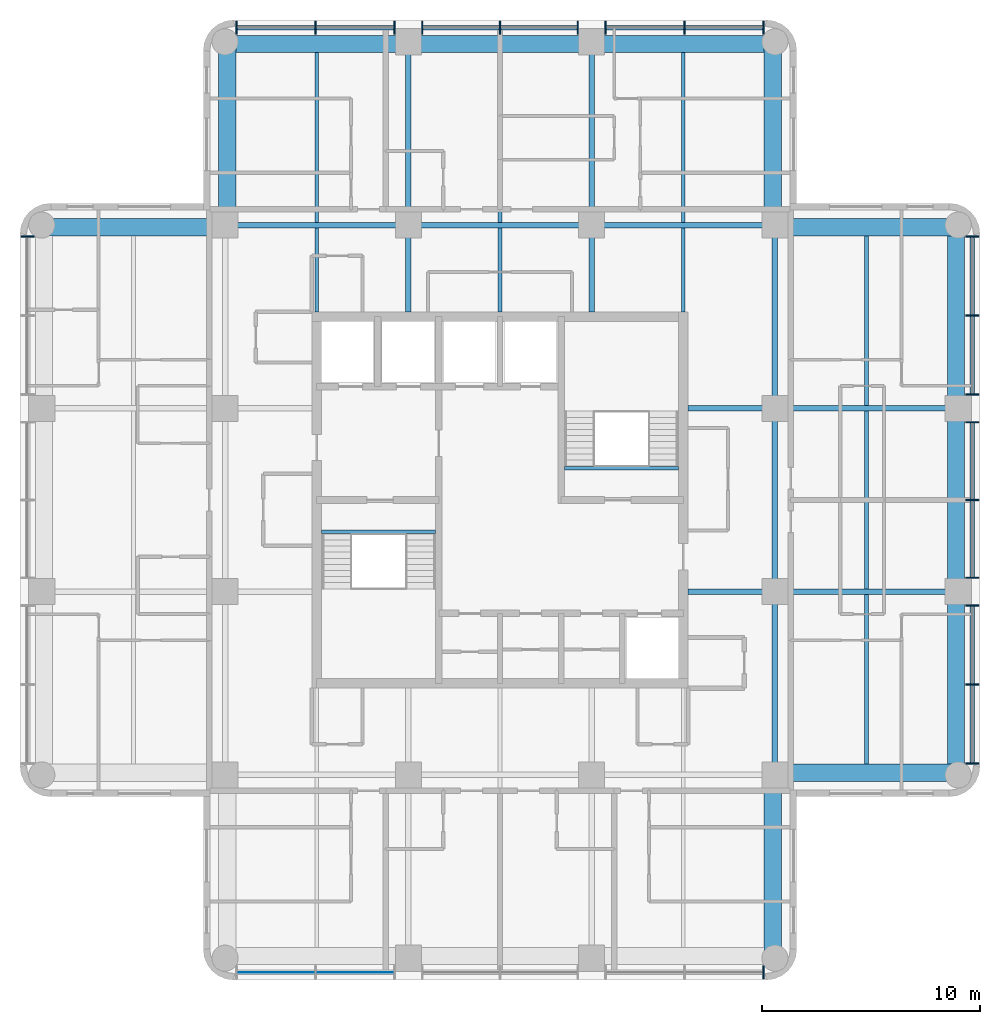
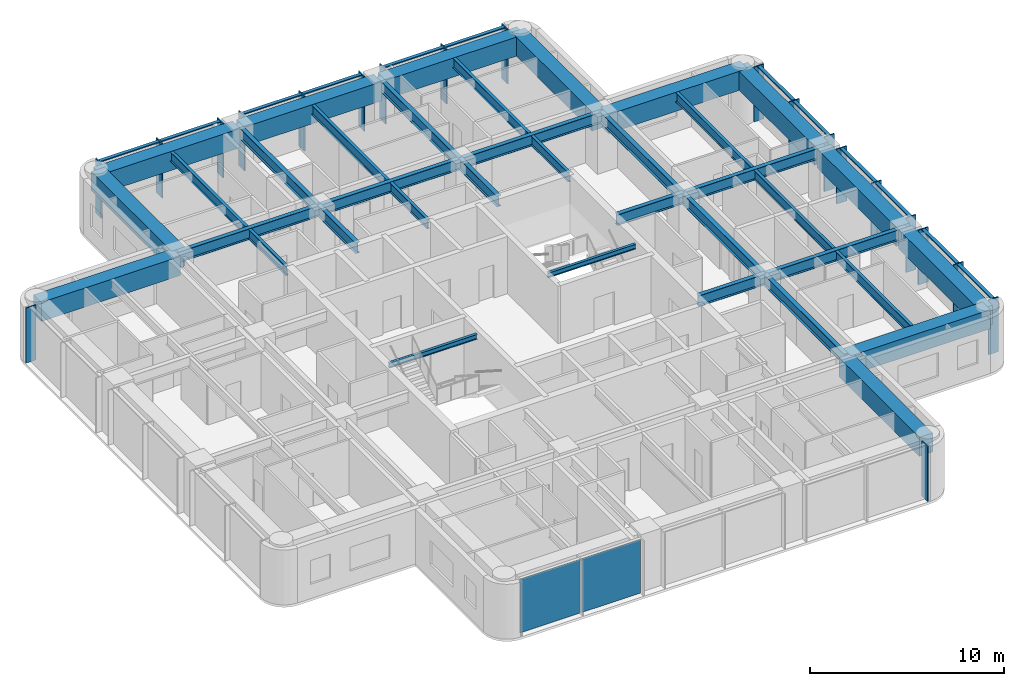
# One storey, part 2 of 10: 37 beams, 32 members, 2 plates, 4 elements without a shape of their own.
"""IFC4 building model written with IfcOpenShell, lengths in metres."""

from ifc_helpers import new_model, si_unit, direction, frame, origin, origin_2d, place, context, subcontext, project, spatial, rectangle, i_section, extrude, material, layer, layer_set, material_profile, profile_set, type_object, element, aggregate, save


model = new_model("IFC4")

# Units and contexts
model_context = context("Model", 3, precision=1e-05, world=origin(), true_north=direction((0.0, 1.0)))
body_context = subcontext(model_context, "Body", "Model", "MODEL_VIEW")
ifc_project = project(units=[si_unit("LENGTHUNIT", "METRE"), si_unit("AREAUNIT", "SQUARE_METRE"), si_unit("VOLUMEUNIT", "CUBIC_METRE"), si_unit("PLANEANGLEUNIT", "RADIAN"), si_unit("MASSUNIT", "GRAM", prefix="KILO")], contexts=[model_context])

# Site, building, storey
site_placement = place(None, origin())
site = spatial("IfcSite", under=ifc_project, at=site_placement, CompositionType="ELEMENT")
building_placement = place(site_placement, origin())
building = spatial("IfcBuilding", under=site, at=building_placement, Name="Torre Alcanfor", CompositionType="ELEMENT")
storey_placement = place(building_placement, frame((0.0, 0.0, 272.10009765625)))
storey = spatial("IfcBuildingStorey", under=building, at=storey_placement, Name="L71", CompositionType="ELEMENT", Elevation=272.10009765625)

# Curtain wall, member
ifc_material_1 = material(Name="Aluminium and glass", Category="aluminium")
curtain_wall_type = type_object("IfcCurtainWallType", Name="CW-A unitised apartment glazing with vertical FIN", PredefinedType="NOTDEFINED", material=ifc_material_1)
curtain_wall_1_placement = place(storey_placement, origin())
curtain_wall_1 = element("IfcCurtainWall", 1, at=curtain_wall_1_placement, inside=storey, type_object=curtain_wall_type, Name="Curtain wall CW-A L71 2", PredefinedType="NOTDEFINED")
ifc_material_2 = material(Name="Bronze anodised aluminium", Category="aluminium")
ifc_material_profile_1 = material_profile(ifc_material_2, rectangle(XDim=0.60009765625, YDim=0.06494140625, at=origin_2d()), Name="CW-A mullion 65x600")
ifc_profile_set_1 = profile_set([ifc_material_profile_1], Name="Bronze anodised aluminium")
member_type_1 = type_object("IfcMemberType", Name="CW-A mullion with vertical FIN 65x600", PredefinedType="MULLION", material=ifc_profile_set_1)
member_1_placement = place(storey_placement, frame((7.75, 41.47412109375, 0.0), z_axis=(0.0, 0.0, 1.0), x_axis=(1.0, 0.0, 0.0)))
member_1 = element("IfcMember", 2, at=member_1_placement, type_object=member_type_1, Name="CW-A mullion 1.1", PredefinedType="MULLION", context=body_context, shape_type="SweptSolid", body=[
    extrude(rectangle(XDim=0.60009765625, YDim=0.06494140625, at=origin_2d()), origin(), (0.0, 0.0, 1.0), 3.449951171875),
])
aggregate(curtain_wall_1, [member_1])

curtain_wall_2_placement = place(storey_placement, origin())
curtain_wall_2 = element("IfcCurtainWall", 3, at=curtain_wall_2_placement, inside=storey, type_object=curtain_wall_type, Name="Curtain wall CW-A L71 5", PredefinedType="NOTDEFINED")
member_2_placement = place(storey_placement, frame((41.47412109375, 7.75, 0.0), z_axis=(0.0, 0.0, 1.0), x_axis=(0.0, 1.0, 0.0)))
member_2 = element("IfcMember", 4, at=member_2_placement, type_object=member_type_1, Name="CW-A mullion 3.3", PredefinedType="MULLION", context=body_context, shape_type="SweptSolid", body=[
    extrude(rectangle(XDim=0.60009765625, YDim=0.06494140625, at=origin_2d()), origin(), (0.0, 0.0, 1.0), 3.449951171875),
])

# Curtain wall, members
curtain_wall_3_placement = place(storey_placement, origin())
curtain_wall_3 = element("IfcCurtainWall", 5, at=curtain_wall_3_placement, inside=storey, type_object=curtain_wall_type, Name="Curtain wall CW-A L71 8", PredefinedType="NOTDEFINED")
member_3_placement = place(storey_placement, frame((51.050048828125, 17.325927734375, 0.0), z_axis=(0.0, 0.0, 1.0), x_axis=(-1.0, 0.0, 0.0)))
member_3 = element("IfcMember", 6, at=member_3_placement, type_object=member_type_1, Name="CW-A mullion 1.1", PredefinedType="MULLION", context=body_context, shape_type="SweptSolid", body=[
    extrude(rectangle(XDim=0.60009765625, YDim=0.06494140625, at=origin_2d()), origin(), (0.0, 0.0, 1.0), 3.449951171875),
])
member_4_placement = place(storey_placement, frame((51.050048828125, 20.9443359375, 0.0), z_axis=(0.0, 0.0, 1.0), x_axis=(-1.0, 0.0, 0.0)))
member_4 = element("IfcMember", 7, at=member_4_placement, type_object=member_type_1, Name="CW-A mullion 1.2", PredefinedType="MULLION", context=body_context, shape_type="SweptSolid", body=[
    extrude(rectangle(XDim=0.60009765625, YDim=0.06494140625, at=origin_2d()), origin(), (0.0, 0.0, 1.0), 3.449951171875),
])
member_5_placement = place(storey_placement, frame((51.050048828125, 24.5625, 0.0), z_axis=(0.0, 0.0, 1.0), x_axis=(-1.0, 0.0, 0.0)))
member_5 = element("IfcMember", 8, at=member_5_placement, type_object=member_type_1, Name="CW-A mullion 1.3", PredefinedType="MULLION", context=body_context, shape_type="SweptSolid", body=[
    extrude(rectangle(XDim=0.60009765625, YDim=0.06494140625, at=origin_2d()), origin(), (0.0, 0.0, 1.0), 3.449951171875),
])
member_6_placement = place(storey_placement, frame((51.050048828125, 25.83740234375, 0.0), z_axis=(0.0, 0.0, 1.0), x_axis=(-1.0, 0.0, 0.0)))
member_6 = element("IfcMember", 9, at=member_6_placement, type_object=member_type_1, Name="CW-A mullion 2.1", PredefinedType="MULLION", context=body_context, shape_type="SweptSolid", body=[
    extrude(rectangle(XDim=0.60009765625, YDim=0.06494140625, at=origin_2d()), origin(), (0.0, 0.0, 1.0), 3.449951171875),
])
member_7_placement = place(storey_placement, frame((51.050048828125, 29.39990234375, 0.0), z_axis=(0.0, 0.0, 1.0), x_axis=(-1.0, 0.0, 0.0)))
member_7 = element("IfcMember", 10, at=member_7_placement, type_object=member_type_1, Name="CW-A mullion 2.2", PredefinedType="MULLION", context=body_context, shape_type="SweptSolid", body=[
    extrude(rectangle(XDim=0.60009765625, YDim=0.06494140625, at=origin_2d()), origin(), (0.0, 0.0, 1.0), 3.449951171875),
])
member_8_placement = place(storey_placement, frame((51.050048828125, 32.96240234375, 0.0), z_axis=(0.0, 0.0, 1.0), x_axis=(-1.0, 0.0, 0.0)))
member_8 = element("IfcMember", 11, at=member_8_placement, type_object=member_type_1, Name="CW-A mullion 2.3", PredefinedType="MULLION", context=body_context, shape_type="SweptSolid", body=[
    extrude(rectangle(XDim=0.60009765625, YDim=0.06494140625, at=origin_2d()), origin(), (0.0, 0.0, 1.0), 3.449951171875),
])
member_9_placement = place(storey_placement, frame((51.050048828125, 34.237548828125, 0.0), z_axis=(0.0, 0.0, 1.0), x_axis=(-1.0, 0.0, 0.0)))
member_9 = element("IfcMember", 12, at=member_9_placement, type_object=member_type_1, Name="CW-A mullion 3.1", PredefinedType="MULLION", context=body_context, shape_type="SweptSolid", body=[
    extrude(rectangle(XDim=0.60009765625, YDim=0.06494140625, at=origin_2d()), origin(), (0.0, 0.0, 1.0), 3.449951171875),
])
member_10_placement = place(storey_placement, frame((51.050048828125, 37.855712890625, 0.0), z_axis=(0.0, 0.0, 1.0), x_axis=(-1.0, 0.0, 0.0)))
member_10 = element("IfcMember", 13, at=member_10_placement, type_object=member_type_1, Name="CW-A mullion 3.2", PredefinedType="MULLION", context=body_context, shape_type="SweptSolid", body=[
    extrude(rectangle(XDim=0.60009765625, YDim=0.06494140625, at=origin_2d()), origin(), (0.0, 0.0, 1.0), 3.449951171875),
])
member_11_placement = place(storey_placement, frame((51.050048828125, 41.47412109375, 0.0), z_axis=(0.0, 0.0, 1.0), x_axis=(-1.0, 0.0, 0.0)))
member_11 = element("IfcMember", 14, at=member_11_placement, type_object=member_type_1, Name="CW-A mullion 3.3", PredefinedType="MULLION", context=body_context, shape_type="SweptSolid", body=[
    extrude(rectangle(XDim=0.60009765625, YDim=0.06494140625, at=origin_2d()), origin(), (0.0, 0.0, 1.0), 3.449951171875),
])

curtain_wall_4_placement = place(storey_placement, origin())
curtain_wall_4 = element("IfcCurtainWall", 15, at=curtain_wall_4_placement, inside=storey, type_object=curtain_wall_type, Name="Curtain wall CW-A L71 11", PredefinedType="NOTDEFINED")
member_12_placement = place(storey_placement, frame((41.47412109375, 51.050048828125, 0.0), z_axis=(0.0, 0.0, 1.0), x_axis=(0.0, -1.0, 0.0)))
member_12 = element("IfcMember", 16, at=member_12_placement, type_object=member_type_1, Name="CW-A mullion 1.1", PredefinedType="MULLION", context=body_context, shape_type="SweptSolid", body=[
    extrude(rectangle(XDim=0.60009765625, YDim=0.06494140625, at=origin_2d()), origin(), (0.0, 0.0, 1.0), 3.449951171875),
])
member_13_placement = place(storey_placement, frame((37.855712890625, 51.050048828125, 0.0), z_axis=(0.0, 0.0, 1.0), x_axis=(0.0, -1.0, 0.0)))
member_13 = element("IfcMember", 17, at=member_13_placement, type_object=member_type_1, Name="CW-A mullion 1.2", PredefinedType="MULLION", context=body_context, shape_type="SweptSolid", body=[
    extrude(rectangle(XDim=0.60009765625, YDim=0.06494140625, at=origin_2d()), origin(), (0.0, 0.0, 1.0), 3.449951171875),
])
member_14_placement = place(storey_placement, frame((34.237548828125, 51.050048828125, 0.0), z_axis=(0.0, 0.0, 1.0), x_axis=(0.0, -1.0, 0.0)))
member_14 = element("IfcMember", 18, at=member_14_placement, type_object=member_type_1, Name="CW-A mullion 1.3", PredefinedType="MULLION", context=body_context, shape_type="SweptSolid", body=[
    extrude(rectangle(XDim=0.60009765625, YDim=0.06494140625, at=origin_2d()), origin(), (0.0, 0.0, 1.0), 3.449951171875),
])
member_15_placement = place(storey_placement, frame((32.96240234375, 51.050048828125, 0.0), z_axis=(0.0, 0.0, 1.0), x_axis=(0.0, -1.0, 0.0)))
member_15 = element("IfcMember", 19, at=member_15_placement, type_object=member_type_1, Name="CW-A mullion 2.1", PredefinedType="MULLION", context=body_context, shape_type="SweptSolid", body=[
    extrude(rectangle(XDim=0.60009765625, YDim=0.06494140625, at=origin_2d()), origin(), (0.0, 0.0, 1.0), 3.449951171875),
])
member_16_placement = place(storey_placement, frame((29.39990234375, 51.050048828125, 0.0), z_axis=(0.0, 0.0, 1.0), x_axis=(0.0, -1.0, 0.0)))
member_16 = element("IfcMember", 20, at=member_16_placement, type_object=member_type_1, Name="CW-A mullion 2.2", PredefinedType="MULLION", context=body_context, shape_type="SweptSolid", body=[
    extrude(rectangle(XDim=0.60009765625, YDim=0.06494140625, at=origin_2d()), origin(), (0.0, 0.0, 1.0), 3.449951171875),
])
member_17_placement = place(storey_placement, frame((25.83740234375, 51.050048828125, 0.0), z_axis=(0.0, 0.0, 1.0), x_axis=(0.0, -1.0, 0.0)))
member_17 = element("IfcMember", 21, at=member_17_placement, type_object=member_type_1, Name="CW-A mullion 2.3", PredefinedType="MULLION", context=body_context, shape_type="SweptSolid", body=[
    extrude(rectangle(XDim=0.60009765625, YDim=0.06494140625, at=origin_2d()), origin(), (0.0, 0.0, 1.0), 3.449951171875),
])
member_18_placement = place(storey_placement, frame((24.5625, 51.050048828125, 0.0), z_axis=(0.0, 0.0, 1.0), x_axis=(0.0, -1.0, 0.0)))
member_18 = element("IfcMember", 22, at=member_18_placement, type_object=member_type_1, Name="CW-A mullion 3.1", PredefinedType="MULLION", context=body_context, shape_type="SweptSolid", body=[
    extrude(rectangle(XDim=0.60009765625, YDim=0.06494140625, at=origin_2d()), origin(), (0.0, 0.0, 1.0), 3.449951171875),
])
member_19_placement = place(storey_placement, frame((20.9443359375, 51.050048828125, 0.0), z_axis=(0.0, 0.0, 1.0), x_axis=(0.0, -1.0, 0.0)))
member_19 = element("IfcMember", 23, at=member_19_placement, type_object=member_type_1, Name="CW-A mullion 3.2", PredefinedType="MULLION", context=body_context, shape_type="SweptSolid", body=[
    extrude(rectangle(XDim=0.60009765625, YDim=0.06494140625, at=origin_2d()), origin(), (0.0, 0.0, 1.0), 3.449951171875),
])
member_20_placement = place(storey_placement, frame((17.325927734375, 51.050048828125, 0.0), z_axis=(0.0, 0.0, 1.0), x_axis=(0.0, -1.0, 0.0)))
member_20 = element("IfcMember", 24, at=member_20_placement, type_object=member_type_1, Name="CW-A mullion 3.3", PredefinedType="MULLION", context=body_context, shape_type="SweptSolid", body=[
    extrude(rectangle(XDim=0.60009765625, YDim=0.06494140625, at=origin_2d()), origin(), (0.0, 0.0, 1.0), 3.449951171875),
])

# Member
ifc_material_3 = material(Name="Extruded aluminium", Category="aluminium")
ifc_material_profile_2 = material_profile(ifc_material_3, rectangle(XDim=0.199951171875, YDim=0.06494140625, at=origin_2d()), Name="CW-A transom 200x65")
ifc_profile_set_2 = profile_set([ifc_material_profile_2], Name="Extruded aluminium")
member_type_2 = type_object("IfcMemberType", Name="CW-A transom 65x200", PredefinedType="USERDEFINED", material=ifc_profile_set_2)
member_21_placement = place(storey_placement, frame((51.050048828125, 17.3583984375, 3.41748046875), z_axis=(0.0, 1.0, 0.0), x_axis=(-1.0, 0.0, 0.0)))
member_21 = element("IfcMember", 25, at=member_21_placement, type_object=member_type_2, Name="CW-A transom 1.1.2", ObjectType="TRANSOM", PredefinedType="USERDEFINED", context=body_context, shape_type="SweptSolid", body=[
    extrude(rectangle(XDim=0.199951171875, YDim=0.06494140625, at=origin_2d()), origin(), (0.0, 0.0, 1.0), 3.553466796875),
])

member_22_placement = place(storey_placement, frame((51.050048828125, 20.976806640625, 3.41748046875), z_axis=(0.0, 1.0, 0.0), x_axis=(-1.0, 0.0, 0.0)))
member_22 = element("IfcMember", 26, at=member_22_placement, type_object=member_type_2, Name="CW-A transom 1.2.2", ObjectType="TRANSOM", PredefinedType="USERDEFINED", context=body_context, shape_type="SweptSolid", body=[
    extrude(rectangle(XDim=0.199951171875, YDim=0.06494140625, at=origin_2d()), origin(), (0.0, 0.0, 1.0), 3.55322265625),
])

member_23_placement = place(storey_placement, frame((51.050048828125, 25.8701171875, 3.41748046875), z_axis=(0.0, 1.0, 0.0), x_axis=(-1.0, 0.0, 0.0)))
member_23 = element("IfcMember", 27, at=member_23_placement, type_object=member_type_2, Name="CW-A transom 2.1.2", ObjectType="TRANSOM", PredefinedType="USERDEFINED", context=body_context, shape_type="SweptSolid", body=[
    extrude(rectangle(XDim=0.199951171875, YDim=0.06494140625, at=origin_2d()), origin(), (0.0, 0.0, 1.0), 3.497314453125),
])

member_24_placement = place(storey_placement, frame((51.050048828125, 29.4326171875, 3.41748046875), z_axis=(0.0, 1.0, 0.0), x_axis=(-1.0, 0.0, 0.0)))
member_24 = element("IfcMember", 28, at=member_24_placement, type_object=member_type_2, Name="CW-A transom 2.2.2", ObjectType="TRANSOM", PredefinedType="USERDEFINED", context=body_context, shape_type="SweptSolid", body=[
    extrude(rectangle(XDim=0.199951171875, YDim=0.06494140625, at=origin_2d()), origin(), (0.0, 0.0, 1.0), 3.497314453125),
])

member_25_placement = place(storey_placement, frame((51.050048828125, 34.27001953125, 3.41748046875), z_axis=(0.0, 1.0, 0.0), x_axis=(-1.0, 0.0, 0.0)))
member_25 = element("IfcMember", 29, at=member_25_placement, type_object=member_type_2, Name="CW-A transom 3.1.2", ObjectType="TRANSOM", PredefinedType="USERDEFINED", context=body_context, shape_type="SweptSolid", body=[
    extrude(rectangle(XDim=0.199951171875, YDim=0.06494140625, at=origin_2d()), origin(), (0.0, 0.0, 1.0), 3.55322265625),
])

member_26_placement = place(storey_placement, frame((51.050048828125, 37.88818359375, 3.41748046875), z_axis=(0.0, 1.0, 0.0), x_axis=(-1.0, 0.0, 0.0)))
member_26 = element("IfcMember", 30, at=member_26_placement, type_object=member_type_2, Name="CW-A transom 3.2.2", ObjectType="TRANSOM", PredefinedType="USERDEFINED", context=body_context, shape_type="SweptSolid", body=[
    extrude(rectangle(XDim=0.199951171875, YDim=0.06494140625, at=origin_2d()), origin(), (0.0, 0.0, 1.0), 3.55322265625),
])

aggregate(curtain_wall_3, [member_3, member_4, member_5, member_21, member_22, member_6, member_7, member_8, member_23, member_24, member_9, member_10, member_11, member_25, member_26])

member_27_placement = place(storey_placement, frame((41.44140625, 51.050048828125, 3.41748046875), z_axis=(-1.0, 0.0, 0.0), x_axis=(0.0, -1.0, 0.0)))
member_27 = element("IfcMember", 31, at=member_27_placement, type_object=member_type_2, Name="CW-A transom 1.1.2", ObjectType="TRANSOM", PredefinedType="USERDEFINED", context=body_context, shape_type="SweptSolid", body=[
    extrude(rectangle(XDim=0.199951171875, YDim=0.06494140625, at=origin_2d()), origin(), (0.0, 0.0, 1.0), 3.55322265625),
])

member_28_placement = place(storey_placement, frame((37.8232421875, 51.050048828125, 3.41748046875), z_axis=(-1.0, 0.0, 0.0), x_axis=(0.0, -1.0, 0.0)))
member_28 = element("IfcMember", 32, at=member_28_placement, type_object=member_type_2, Name="CW-A transom 1.2.2", ObjectType="TRANSOM", PredefinedType="USERDEFINED", context=body_context, shape_type="SweptSolid", body=[
    extrude(rectangle(XDim=0.199951171875, YDim=0.06494140625, at=origin_2d()), origin(), (0.0, 0.0, 1.0), 3.55322265625),
])

member_29_placement = place(storey_placement, frame((32.929931640625, 51.050048828125, 3.41748046875), z_axis=(-1.0, 0.0, 0.0), x_axis=(0.0, -1.0, 0.0)))
member_29 = element("IfcMember", 33, at=member_29_placement, type_object=member_type_2, Name="CW-A transom 2.1.2", ObjectType="TRANSOM", PredefinedType="USERDEFINED", context=body_context, shape_type="SweptSolid", body=[
    extrude(rectangle(XDim=0.199951171875, YDim=0.06494140625, at=origin_2d()), origin(), (0.0, 0.0, 1.0), 3.497314453125),
])

member_30_placement = place(storey_placement, frame((29.367431640625, 51.050048828125, 3.41748046875), z_axis=(-1.0, 0.0, 0.0), x_axis=(0.0, -1.0, 0.0)))
member_30 = element("IfcMember", 34, at=member_30_placement, type_object=member_type_2, Name="CW-A transom 2.2.2", ObjectType="TRANSOM", PredefinedType="USERDEFINED", context=body_context, shape_type="SweptSolid", body=[
    extrude(rectangle(XDim=0.199951171875, YDim=0.06494140625, at=origin_2d()), origin(), (0.0, 0.0, 1.0), 3.497314453125),
])

member_31_placement = place(storey_placement, frame((24.530029296875, 51.050048828125, 3.41748046875), z_axis=(-1.0, 0.0, 0.0), x_axis=(0.0, -1.0, 0.0)))
member_31 = element("IfcMember", 35, at=member_31_placement, type_object=member_type_2, Name="CW-A transom 3.1.2", ObjectType="TRANSOM", PredefinedType="USERDEFINED", context=body_context, shape_type="SweptSolid", body=[
    extrude(rectangle(XDim=0.199951171875, YDim=0.06494140625, at=origin_2d()), origin(), (0.0, 0.0, 1.0), 3.55322265625),
])

member_32_placement = place(storey_placement, frame((20.911865234375, 51.050048828125, 3.41748046875), z_axis=(-1.0, 0.0, 0.0), x_axis=(0.0, -1.0, 0.0)))
member_32 = element("IfcMember", 36, at=member_32_placement, type_object=member_type_2, Name="CW-A transom 3.2.2", ObjectType="TRANSOM", PredefinedType="USERDEFINED", context=body_context, shape_type="SweptSolid", body=[
    extrude(rectangle(XDim=0.199951171875, YDim=0.06494140625, at=origin_2d()), origin(), (0.0, 0.0, 1.0), 3.553466796875),
])

aggregate(curtain_wall_4, [member_12, member_13, member_14, member_27, member_28, member_15, member_16, member_17, member_29, member_30, member_18, member_19, member_20, member_31, member_32])

# Beams
ifc_material_4 = material(Name="Steel ASTM A992 Grade 50", Category="steel")
ifc_material_profile_3 = material_profile(ifc_material_4, i_section(OverallWidth=0.25390625, OverallDepth=0.683349609375, WebThickness=0.012451171875, FlangeThickness=0.01904296875, at=origin_2d()), Name="W27x94")
ifc_profile_set_3 = profile_set([ifc_material_profile_3], Name="Steel ASTM A992 Grade 50")
beam_type_1 = type_object("IfcBeamType", Name="Girder W27x94", PredefinedType="BEAM", material=ifc_profile_set_3)
for number, where, z_axis, x_axis, name in (
    (37, (42.0, 25.199951171875, 3.108154296875), (1.0, 0.0, 0.0), (0.0, 1.0, 0.0), "Beam 6F-7F under L72"),
    (38, (42.0, 33.60009765625, 3.108154296875), (1.0, 0.0, 0.0), (0.0, 1.0, 0.0), "Beam 6G-7G under L72"),
    (39, (16.800048828125, 42.0, 3.108154296875), (1.0, 0.0, 0.0), (0.0, 1.0, 0.0), "Beam 3H-4H under L72"),
):
    element("IfcBeam", number, at=place(storey_placement, frame(where, z_axis=z_axis, x_axis=x_axis)), inside=storey, type_object=beam_type_1, Name=name, PredefinedType="BEAM", context=body_context, shape_type="SweptSolid", body=[
        extrude(i_section(OverallWidth=0.25390625, OverallDepth=0.683349609375, WebThickness=0.012451171875, FlangeThickness=0.01904296875, at=origin_2d()), origin(), (0.0, 0.0, 1.0), 8.39990234375),
    ])
beam_1_placement = place(storey_placement, frame((25.199951171875, 42.0, 3.108154296875), z_axis=(1.0, 0.0, 0.0), x_axis=(0.0, 1.0, 0.0)))
element("IfcBeam", 40, at=beam_1_placement, inside=storey, type_object=beam_type_1, Name="Beam 4H-5H under L72", PredefinedType="BEAM", context=body_context, shape_type="SweptSolid", body=[
    extrude(i_section(OverallWidth=0.25390625, OverallDepth=0.683349609375, WebThickness=0.012451171875, FlangeThickness=0.01904296875, at=origin_2d()), origin(), (0.0, 0.0, 1.0), 8.400146484375),
])
for number, where, z_axis, x_axis, name in (
    (41, (33.60009765625, 42.0, 3.108154296875), (1.0, 0.0, 0.0), (0.0, 1.0, 0.0), "Beam 5H-6H under L72"),
    (42, (25.199951171875, 42.0, 3.108154296875), (0.0, 1.0, 0.0), (-1.0, 0.0, 0.0), "Beam 4H-4J under L72"),
    (43, (33.60009765625, 42.0, 3.108154296875), (0.0, 1.0, 0.0), (-1.0, 0.0, 0.0), "Beam 5H-5J under L72"),
    (44, (42.0, 16.800048828125, 3.108154296875), (0.0, 1.0, 0.0), (-1.0, 0.0, 0.0), "Beam 6E-6F under L72"),
):
    element("IfcBeam", number, at=place(storey_placement, frame(where, z_axis=z_axis, x_axis=x_axis)), inside=storey, type_object=beam_type_1, Name=name, PredefinedType="BEAM", context=body_context, shape_type="SweptSolid", body=[
        extrude(i_section(OverallWidth=0.25390625, OverallDepth=0.683349609375, WebThickness=0.012451171875, FlangeThickness=0.01904296875, at=origin_2d()), origin(), (0.0, 0.0, 1.0), 8.39990234375),
    ])
beam_2_placement = place(storey_placement, frame((42.0, 25.199951171875, 3.108154296875), z_axis=(0.0, 1.0, 0.0), x_axis=(-1.0, 0.0, 0.0)))
element("IfcBeam", 45, at=beam_2_placement, inside=storey, type_object=beam_type_1, Name="Beam 6F-6G under L72", PredefinedType="BEAM", context=body_context, shape_type="SweptSolid", body=[
    extrude(i_section(OverallWidth=0.25390625, OverallDepth=0.683349609375, WebThickness=0.012451171875, FlangeThickness=0.01904296875, at=origin_2d()), origin(), (0.0, 0.0, 1.0), 8.400146484375),
])
beam_3_placement = place(storey_placement, frame((42.0, 33.60009765625, 3.108154296875), z_axis=(0.0, 1.0, 0.0), x_axis=(-1.0, 0.0, 0.0)))
element("IfcBeam", 46, at=beam_3_placement, inside=storey, type_object=beam_type_1, Name="Beam 6G-6H under L72", PredefinedType="BEAM", context=body_context, shape_type="SweptSolid", body=[
    extrude(i_section(OverallWidth=0.25390625, OverallDepth=0.683349609375, WebThickness=0.012451171875, FlangeThickness=0.01904296875, at=origin_2d()), origin(), (0.0, 0.0, 1.0), 8.39990234375),
])
ifc_material_5 = material(Name="Steel ASTM A992 Grade 50", Category="steel")
ifc_material_profile_4 = material_profile(ifc_material_5, i_section(OverallWidth=0.25390625, OverallDepth=0.683349609375, WebThickness=0.012451171875, FlangeThickness=0.01904296875, at=origin_2d()), Name="W27x94")
ifc_profile_set_4 = profile_set([ifc_material_profile_4], Name="Steel ASTM A992 Grade 50")
beam_type_2 = type_object("IfcBeamType", Name="Girder, part bay W27x94", PredefinedType="BEAM", material=ifc_profile_set_4)
for number, where, z_axis, x_axis, name in (
    (47, (25.199951171875, 42.0, 3.108154296875), (0.0, -1.0, 0.0), (1.0, 0.0, 0.0), "Beam 4H-438_025 under L72"),
    (48, (33.60009765625, 42.0, 3.108154296875), (0.0, -1.0, 0.0), (1.0, 0.0, 0.0), "Beam 5H-538_025 under L72"),
    (49, (42.0, 25.199951171875, 3.108154296875), (-1.0, 0.0, 0.0), (0.0, -1.0, 0.0), "Beam 6F-38_025F under L72"),
    (50, (42.0, 33.60009765625, 3.108154296875), (-1.0, 0.0, 0.0), (0.0, -1.0, 0.0), "Beam 6G-38_025G under L72"),
):
    element("IfcBeam", number, at=place(storey_placement, frame(where, z_axis=z_axis, x_axis=x_axis)), inside=storey, type_object=beam_type_2, Name=name, PredefinedType="BEAM", context=body_context, shape_type="SweptSolid", body=[
        extrude(i_section(OverallWidth=0.25390625, OverallDepth=0.683349609375, WebThickness=0.012451171875, FlangeThickness=0.01904296875, at=origin_2d()), origin(), (0.0, 0.0, 1.0), 3.97509765625),
    ])
ifc_material_6 = material(Name="Concrete f'c 70 MPa", Category="concrete")
ifc_material_profile_5 = material_profile(ifc_material_6, rectangle(XDim=0.800048828125, YDim=1.199951171875, at=origin_2d()), Name="800x1200")
ifc_profile_set_5 = profile_set([ifc_material_profile_5], Name="Concrete f'c 70 MPa")
beam_type_3 = type_object("IfcBeamType", Name="RC perimeter beam 800x1200", PredefinedType="BEAM", material=ifc_profile_set_5)
beam_4_placement = place(storey_placement, frame((42.126953125, 16.89990234375, 2.849853515625), z_axis=(1.0, 0.0, 0.0), x_axis=(0.0, 1.0, 0.0)))
element("IfcBeam", 51, at=beam_4_placement, inside=storey, type_object=beam_type_3, Name="Beam 6E-7E under L72", PredefinedType="BEAM", context=body_context, shape_type="SweptSolid", body=[
    extrude(rectangle(XDim=0.800048828125, YDim=1.199951171875, at=origin_2d()), origin(), (0.0, 0.0, 1.0), 8.27294921875),
])
beam_5_placement = place(storey_placement, frame((8.39990234375, 41.89990234375, 2.849853515625), z_axis=(1.0, 0.0, 0.0), x_axis=(0.0, 1.0, 0.0)))
element("IfcBeam", 52, at=beam_5_placement, inside=storey, type_object=beam_type_3, Name="Beam 2H-3H under L72", PredefinedType="BEAM", context=body_context, shape_type="SweptSolid", body=[
    extrude(rectangle(XDim=0.800048828125, YDim=1.199951171875, at=origin_2d()), origin(), (0.0, 0.0, 1.0), 8.273193359375),
])
for number, where, z_axis, x_axis, name in (
    (53, (42.126953125, 41.89990234375, 2.849853515625), (1.0, 0.0, 0.0), (0.0, 1.0, 0.0), "Beam 6H-7H under L72"),
    (54, (16.800048828125, 50.300048828125, 2.849853515625), (1.0, 0.0, 0.0), (0.0, 1.0, 0.0), "Beam 3J-4J under L72"),
):
    element("IfcBeam", number, at=place(storey_placement, frame(where, z_axis=z_axis, x_axis=x_axis)), inside=storey, type_object=beam_type_3, Name=name, PredefinedType="BEAM", context=body_context, shape_type="SweptSolid", body=[
        extrude(rectangle(XDim=0.800048828125, YDim=1.199951171875, at=origin_2d()), origin(), (0.0, 0.0, 1.0), 8.27294921875),
    ])
beam_6_placement = place(storey_placement, frame((25.326904296875, 50.300048828125, 2.849853515625), z_axis=(1.0, 0.0, 0.0), x_axis=(0.0, 1.0, 0.0)))
element("IfcBeam", 55, at=beam_6_placement, inside=storey, type_object=beam_type_3, Name="Beam 4J-5J under L72", PredefinedType="BEAM", context=body_context, shape_type="SweptSolid", body=[
    extrude(rectangle(XDim=0.800048828125, YDim=1.199951171875, at=origin_2d()), origin(), (0.0, 0.0, 1.0), 8.14599609375),
])
for number, where, z_axis, x_axis, name in (
    (56, (33.72705078125, 50.300048828125, 2.849853515625), (1.0, 0.0, 0.0), (0.0, 1.0, 0.0), "Beam 5J-6J under L72"),
    (57, (16.89990234375, 42.126953125, 2.849853515625), (0.0, 1.0, 0.0), (-1.0, 0.0, 0.0), "Beam 3H-3J under L72"),
):
    element("IfcBeam", number, at=place(storey_placement, frame(where, z_axis=z_axis, x_axis=x_axis)), inside=storey, type_object=beam_type_3, Name=name, PredefinedType="BEAM", context=body_context, shape_type="SweptSolid", body=[
        extrude(rectangle(XDim=0.800048828125, YDim=1.199951171875, at=origin_2d()), origin(), (0.0, 0.0, 1.0), 8.27294921875),
    ])
beam_7_placement = place(storey_placement, frame((41.89990234375, 8.39990234375, 2.849853515625), z_axis=(0.0, 1.0, 0.0), x_axis=(-1.0, 0.0, 0.0)))
element("IfcBeam", 58, at=beam_7_placement, inside=storey, type_object=beam_type_3, Name="Beam 6D-6E under L72", PredefinedType="BEAM", context=body_context, shape_type="SweptSolid", body=[
    extrude(rectangle(XDim=0.800048828125, YDim=1.199951171875, at=origin_2d()), origin(), (0.0, 0.0, 1.0), 8.273193359375),
])
for number, where, z_axis, x_axis, name in (
    (59, (41.89990234375, 42.126953125, 2.849853515625), (0.0, 1.0, 0.0), (-1.0, 0.0, 0.0), "Beam 6H-6J under L72"),
    (60, (50.300048828125, 16.800048828125, 2.849853515625), (0.0, 1.0, 0.0), (-1.0, 0.0, 0.0), "Beam 7E-7F under L72"),
):
    element("IfcBeam", number, at=place(storey_placement, frame(where, z_axis=z_axis, x_axis=x_axis)), inside=storey, type_object=beam_type_3, Name=name, PredefinedType="BEAM", context=body_context, shape_type="SweptSolid", body=[
        extrude(rectangle(XDim=0.800048828125, YDim=1.199951171875, at=origin_2d()), origin(), (0.0, 0.0, 1.0), 8.27294921875),
    ])
beam_8_placement = place(storey_placement, frame((50.300048828125, 25.326904296875, 2.849853515625), z_axis=(0.0, 1.0, 0.0), x_axis=(-1.0, 0.0, 0.0)))
element("IfcBeam", 61, at=beam_8_placement, inside=storey, type_object=beam_type_3, Name="Beam 7F-7G under L72", PredefinedType="BEAM", context=body_context, shape_type="SweptSolid", body=[
    extrude(rectangle(XDim=0.800048828125, YDim=1.199951171875, at=origin_2d()), origin(), (0.0, 0.0, 1.0), 8.14599609375),
])
beam_9_placement = place(storey_placement, frame((50.300048828125, 33.72705078125, 2.849853515625), z_axis=(0.0, 1.0, 0.0), x_axis=(-1.0, 0.0, 0.0)))
element("IfcBeam", 62, at=beam_9_placement, inside=storey, type_object=beam_type_3, Name="Beam 7G-7H under L72", PredefinedType="BEAM", context=body_context, shape_type="SweptSolid", body=[
    extrude(rectangle(XDim=0.800048828125, YDim=1.199951171875, at=origin_2d()), origin(), (0.0, 0.0, 1.0), 8.27294921875),
])
ifc_material_7 = material(Name="Steel ASTM A992 Grade 50", Category="steel")
ifc_material_profile_6 = material_profile(ifc_material_7, i_section(OverallWidth=0.1787109375, OverallDepth=0.60205078125, WebThickness=0.010986328125, FlangeThickness=0.014892578125, at=origin_2d()), Name="W24x62")
ifc_profile_set_6 = profile_set([ifc_material_profile_6], Name="Steel ASTM A992 Grade 50")
beam_type_4 = type_object("IfcBeamType", Name="Secondary beam W24x62", PredefinedType="BEAM", material=ifc_profile_set_6)
for number, where, z_axis, x_axis, name in (
    (63, (21.0, 42.126953125, 3.14892578125), (0.0, 1.0, 0.0), (-1.0, 0.0, 0.0), "Beam 21H-21J under L72"),
    (64, (29.39990234375, 42.126953125, 3.14892578125), (0.0, 1.0, 0.0), (-1.0, 0.0, 0.0), "Beam 29_4H-29_4J under L72"),
    (65, (37.800048828125, 42.126953125, 3.14892578125), (0.0, 1.0, 0.0), (-1.0, 0.0, 0.0), "Beam 37_8H-37_8J under L72"),
    (66, (46.199951171875, 17.300048828125, 3.14892578125), (0.0, 1.0, 0.0), (-1.0, 0.0, 0.0), "Beam 46_2E-46_2F under L72"),
):
    element("IfcBeam", number, at=place(storey_placement, frame(where, z_axis=z_axis, x_axis=x_axis)), inside=storey, type_object=beam_type_4, Name=name, PredefinedType="BEAM", context=body_context, shape_type="SweptSolid", body=[
        extrude(i_section(OverallWidth=0.1787109375, OverallDepth=0.60205078125, WebThickness=0.010986328125, FlangeThickness=0.014892578125, at=origin_2d()), origin(), (0.0, 0.0, 1.0), 7.77294921875),
    ])
beam_10_placement = place(storey_placement, frame((46.199951171875, 25.326904296875, 3.14892578125), z_axis=(0.0, 1.0, 0.0), x_axis=(-1.0, 0.0, 0.0)))
element("IfcBeam", 67, at=beam_10_placement, inside=storey, type_object=beam_type_4, Name="Beam 46_2F-46_2G under L72", PredefinedType="BEAM", context=body_context, shape_type="SweptSolid", body=[
    extrude(i_section(OverallWidth=0.1787109375, OverallDepth=0.60205078125, WebThickness=0.010986328125, FlangeThickness=0.014892578125, at=origin_2d()), origin(), (0.0, 0.0, 1.0), 8.14599609375),
])
beam_11_placement = place(storey_placement, frame((46.199951171875, 33.72705078125, 3.14892578125), z_axis=(0.0, 1.0, 0.0), x_axis=(-1.0, 0.0, 0.0)))
element("IfcBeam", 68, at=beam_11_placement, inside=storey, type_object=beam_type_4, Name="Beam 46_2G-46_2H under L72", PredefinedType="BEAM", context=body_context, shape_type="SweptSolid", body=[
    extrude(i_section(OverallWidth=0.1787109375, OverallDepth=0.60205078125, WebThickness=0.010986328125, FlangeThickness=0.014892578125, at=origin_2d()), origin(), (0.0, 0.0, 1.0), 7.77294921875),
])
ifc_material_8 = material(Name="Steel ASTM A992 Grade 50", Category="steel")
ifc_material_profile_7 = material_profile(ifc_material_8, i_section(OverallWidth=0.1787109375, OverallDepth=0.60205078125, WebThickness=0.010986328125, FlangeThickness=0.014892578125, at=origin_2d()), Name="W24x62")
ifc_profile_set_7 = profile_set([ifc_material_profile_7], Name="Steel ASTM A992 Grade 50")
beam_type_5 = type_object("IfcBeamType", Name="Secondary beam, part bay W24x62", PredefinedType="BEAM", material=ifc_profile_set_7)
for number, where, z_axis, x_axis, name in (
    (69, (21.0, 38.02490234375, 3.14892578125), (0.0, 1.0, 0.0), (-1.0, 0.0, 0.0), "Beam 2138_025-21H under L72"),
    (70, (29.39990234375, 38.02490234375, 3.14892578125), (0.0, 1.0, 0.0), (-1.0, 0.0, 0.0), "Beam 29_438_025-29_4H under L72"),
    (71, (37.800048828125, 38.02490234375, 3.14892578125), (0.0, 1.0, 0.0), (-1.0, 0.0, 0.0), "Beam 37_838_025-37_8H under L72"),
):
    element("IfcBeam", number, at=place(storey_placement, frame(where, z_axis=z_axis, x_axis=x_axis)), inside=storey, type_object=beam_type_5, Name=name, PredefinedType="BEAM", context=body_context, shape_type="SweptSolid", body=[
        extrude(i_section(OverallWidth=0.1787109375, OverallDepth=0.60205078125, WebThickness=0.010986328125, FlangeThickness=0.014892578125, at=origin_2d()), origin(), (0.0, 0.0, 1.0), 3.84814453125),
    ])
ifc_material_9 = material(Name="Steel ASTM A992 Grade 50", Category="steel")
ifc_material_profile_8 = material_profile(ifc_material_9, i_section(OverallWidth=0.164794921875, OverallDepth=0.309814453125, WebThickness=0.005859375, FlangeThickness=0.009765625, at=origin_2d()), Name="W12x26")
ifc_profile_set_8 = profile_set([ifc_material_profile_8], Name="Steel ASTM A992 Grade 50")
beam_type_6 = type_object("IfcBeamType", Name="Stair landing beam W12x26", PredefinedType="BEAM", material=ifc_profile_set_8)
for number, where, z_axis, x_axis, name in (
    (72, (21.22509765625, 27.9375, 3.244873046875), (1.0, 0.0, 0.0), (0.0, 1.0, 0.0), "Landing trimmer S1 L72"),
    (73, (32.35009765625, 30.862548828125, 3.244873046875), (1.0, 0.0, 0.0), (0.0, 1.0, 0.0), "Landing trimmer S2 L72"),
):
    element("IfcBeam", number, at=place(storey_placement, frame(where, z_axis=z_axis, x_axis=x_axis)), inside=storey, type_object=beam_type_6, Name=name, PredefinedType="BEAM", context=body_context, shape_type="SweptSolid", body=[
        extrude(i_section(OverallWidth=0.164794921875, OverallDepth=0.309814453125, WebThickness=0.005859375, FlangeThickness=0.009765625, at=origin_2d()), origin(), (0.0, 0.0, 1.0), 5.224853515625),
    ])

# Plate
ifc_material_10 = material(Name="Glass", Category="glass")
ifc_layer = layer(ifc_material_10, 0.028076171875)
ifc_layer_set = layer_set([ifc_layer], Name="CW-A clear double glazed unit")
plate_type = type_object("IfcPlateType", Name="CW-A clear double glazed unit", PredefinedType="CURTAIN_PANEL", material=ifc_layer_set)
plate_1_placement = place(storey_placement, frame((19.135009765625, 7.75, 0.0), z_axis=(0.0, 0.0, 1.0), x_axis=(1.0, 0.0, 0.0)))
plate_1 = element("IfcPlate", 74, at=plate_1_placement, type_object=plate_type, Name="CW-A panel 1.1.1", PredefinedType="CURTAIN_PANEL", context=body_context, shape_type="SweptSolid", body=[
    extrude(rectangle(XDim=3.55322265625, YDim=0.028076171875, at=origin_2d()), origin(), (0.0, 0.0, 1.0), 3.385009765625),
])

plate_2_placement = place(storey_placement, frame((22.75341796875, 7.75, 0.0), z_axis=(0.0, 0.0, 1.0), x_axis=(1.0, 0.0, 0.0)))
plate_2 = element("IfcPlate", 75, at=plate_2_placement, type_object=plate_type, Name="CW-A panel 1.2.1", PredefinedType="CURTAIN_PANEL", context=body_context, shape_type="SweptSolid", body=[
    extrude(rectangle(XDim=3.55322265625, YDim=0.028076171875, at=origin_2d()), origin(), (0.0, 0.0, 1.0), 3.385009765625),
])

aggregate(curtain_wall_2, [plate_1, plate_2, member_2])

save(model, "model.ifc")
